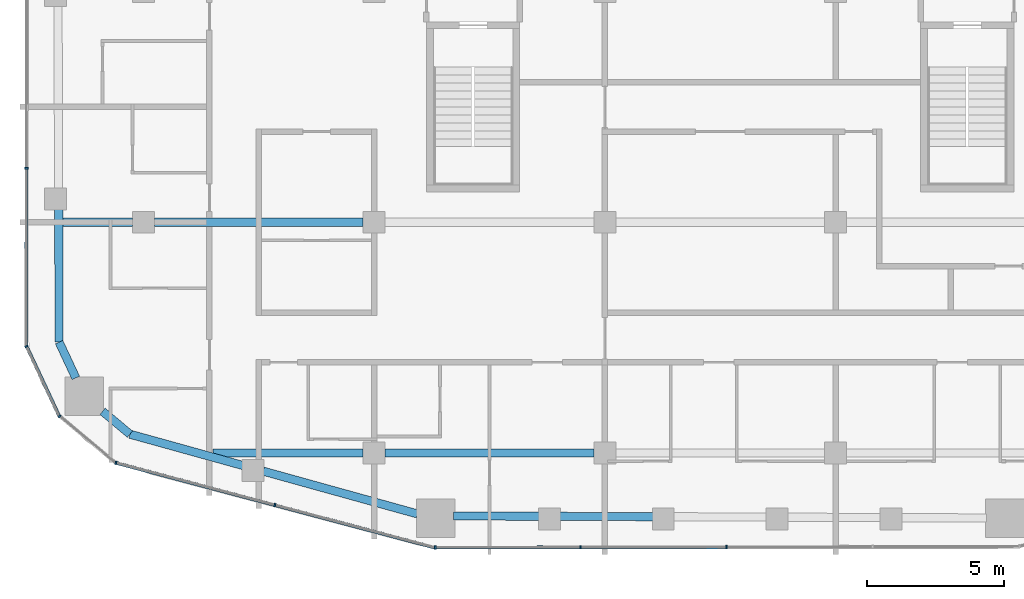
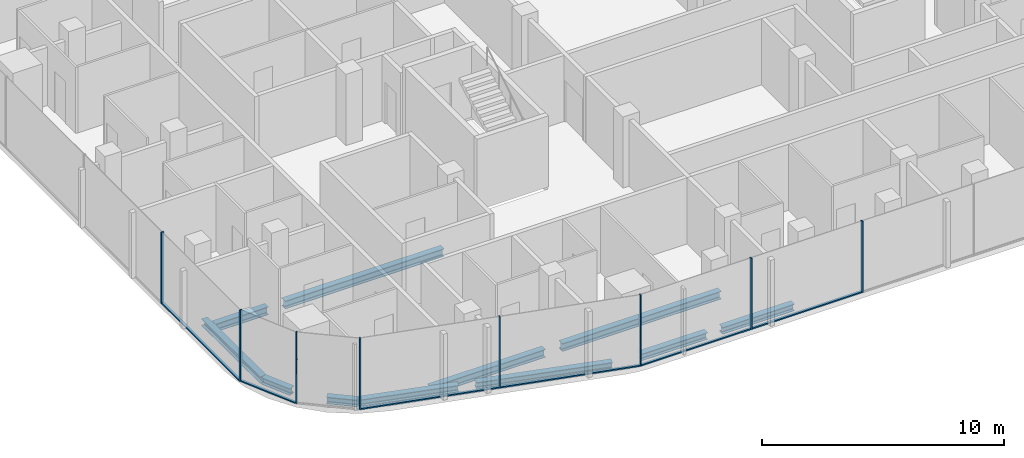
# One storey, part 2 of 21: 14 members, 11 beams, 5 elements without a shape of their own.
"""IFC4 building model written with IfcOpenShell, lengths in metres."""

from ifc_helpers import new_model, si_unit, direction, frame, origin, origin_2d, place, context, subcontext, project, spatial, rectangle, i_section, extrude, material, layer, layer_set, material_profile, profile_set, type_object, element, aggregate, save


model = new_model("IFC4")

# Units and contexts
model_context = context("Model", 3, precision=1e-05, world=origin(), true_north=direction((0.0, 1.0)))
body_context = subcontext(model_context, "Body", "Model", "MODEL_VIEW")
ifc_project = project(units=[si_unit("LENGTHUNIT", "METRE"), si_unit("AREAUNIT", "SQUARE_METRE"), si_unit("VOLUMEUNIT", "CUBIC_METRE"), si_unit("PLANEANGLEUNIT", "RADIAN"), si_unit("MASSUNIT", "GRAM", prefix="KILO")], contexts=[model_context])

# Site, building, storey
site_placement = place(None, origin())
site = spatial("IfcSite", under=ifc_project, at=site_placement, CompositionType="ELEMENT")
building_placement = place(site_placement, origin())
building = spatial("IfcBuilding", under=site, at=building_placement, Name="Marenta Gate Hotel Tower", CompositionType="ELEMENT")
storey_placement = place(building_placement, frame((0.0, 0.0, 202.10009765625)))
storey = spatial("IfcBuildingStorey", under=building, at=storey_placement, Name="L46", CompositionType="ELEMENT", Elevation=202.10009765625)

# Beams
ifc_material_1 = material(Name="Steel S355", Category="steel")
ifc_material_profile_1 = material_profile(ifc_material_1, i_section(OverallWidth=0.300048828125, OverallDepth=0.340087890625, WebThickness=0.011962890625, FlangeThickness=0.021484375, FilletRadius=0.027099609375, at=origin_2d()), Name="HEB 340")
ifc_profile_set_1 = profile_set([ifc_material_profile_1], Name="Steel S355")
beam_type_1 = type_object("IfcBeamType", Name="Edge beam HEB 340", PredefinedType="SPANDREL", material=ifc_profile_set_1)
beam_1_placement = place(storey_placement, frame((-11.02783203125, -27.42236328125, -0.43017578125), z_axis=(-0.963619240724, 0.267278803699, 0.0), x_axis=(-0.267278803699, -0.963619240724, 0.0)))
element("IfcBeam", 1, at=beam_1_placement, inside=storey, type_object=beam_type_1, Name="L46-EB-1", PredefinedType="SPANDREL", context=body_context, shape_type="SweptSolid", body=[
    extrude(i_section(OverallWidth=0.300048828125, OverallDepth=0.340087890625, WebThickness=0.011962890625, FlangeThickness=0.021484375, FilletRadius=0.027099609375, at=origin_2d()), origin(), (0.0, 0.0, 1.0), 5.82958984375),
])
beam_2_placement = place(storey_placement, frame((-17.3681640625, -25.663818359375, -0.43017578125), z_axis=(-0.963628037304, 0.267247087396, 0.0), x_axis=(-0.267247087396, -0.963628037304, 0.0)))
element("IfcBeam", 2, at=beam_2_placement, inside=storey, type_object=beam_type_1, Name="L46-EB-2", PredefinedType="SPANDREL", context=body_context, shape_type="SweptSolid", body=[
    extrude(i_section(OverallWidth=0.300048828125, OverallDepth=0.340087890625, WebThickness=0.011962890625, FlangeThickness=0.021484375, FilletRadius=0.027099609375, at=origin_2d()), origin(), (0.0, 0.0, 1.0), 4.284423828125),
])
beam_3_placement = place(storey_placement, frame((-21.496826171875, -24.518798828125, -0.43017578125), z_axis=(-0.767065103149, 0.641569269472, 0.0), x_axis=(-0.641569269472, -0.767065103149, 0.0)))
element("IfcBeam", 3, at=beam_3_placement, inside=storey, type_object=beam_type_1, Name="L46-EB-3", PredefinedType="SPANDREL", context=body_context, shape_type="SweptSolid", body=[
    extrude(i_section(OverallWidth=0.300048828125, OverallDepth=0.340087890625, WebThickness=0.011962890625, FlangeThickness=0.021484375, FilletRadius=0.027099609375, at=origin_2d()), origin(), (0.0, 0.0, 1.0), 1.299560546875),
])
beam_4_placement = place(storey_placement, frame((-23.466796875, -22.46923828125, -0.43017578125), z_axis=(-0.423341112024, 0.905970365338, 0.0), x_axis=(-0.905970365338, -0.423341112024, 0.0)))
element("IfcBeam", 4, at=beam_4_placement, inside=storey, type_object=beam_type_1, Name="L46-EB-4", PredefinedType="SPANDREL", context=body_context, shape_type="SweptSolid", body=[
    extrude(i_section(OverallWidth=0.300048828125, OverallDepth=0.340087890625, WebThickness=0.011962890625, FlangeThickness=0.021484375, FilletRadius=0.027099609375, at=origin_2d()), origin(), (0.0, 0.0, 1.0), 1.437255859375),
])
beam_5_placement = place(storey_placement, frame((-24.0751953125, -21.167236328125, -0.43017578125), z_axis=(-0.003318732666, 0.999994492992, 0.0), x_axis=(-0.999994492992, -0.003318732666, 0.0)))
element("IfcBeam", 5, at=beam_5_placement, inside=storey, type_object=beam_type_1, Name="L46-EB-5", PredefinedType="SPANDREL", context=body_context, shape_type="SweptSolid", body=[
    extrude(i_section(OverallWidth=0.300048828125, OverallDepth=0.340087890625, WebThickness=0.011962890625, FlangeThickness=0.021484375, FilletRadius=0.027099609375, at=origin_2d()), origin(), (0.0, 0.0, 1.0), 4.855224609375),
])
beam_6_placement = place(storey_placement, frame((-2.433349609375, -27.5234375, -0.43017578125), z_axis=(-0.999992599416, 0.003847221457, 0.0), x_axis=(-0.003847221457, -0.999992599416, 0.0)))
element("IfcBeam", 6, at=beam_6_placement, inside=storey, type_object=beam_type_1, Name="L46-EB-35", PredefinedType="SPANDREL", context=body_context, shape_type="SweptSolid", body=[
    extrude(i_section(OverallWidth=0.300048828125, OverallDepth=0.340087890625, WebThickness=0.011962890625, FlangeThickness=0.021484375, FilletRadius=0.027099609375, at=origin_2d()), origin(), (0.0, 0.0, 1.0), 3.4267578125),
])
beam_7_placement = place(storey_placement, frame((-6.580078125, -27.507568359375, -0.43017578125), z_axis=(-0.99999237665, 0.00390469495, 0.0), x_axis=(-0.00390469495, -0.99999237665, 0.0)))
element("IfcBeam", 7, at=beam_7_placement, inside=storey, type_object=beam_type_1, Name="L46-EB-36", PredefinedType="SPANDREL", context=body_context, shape_type="SweptSolid", body=[
    extrude(i_section(OverallWidth=0.300048828125, OverallDepth=0.340087890625, WebThickness=0.011962890625, FlangeThickness=0.021484375, FilletRadius=0.027099609375, at=origin_2d()), origin(), (0.0, 0.0, 1.0), 3.126220703125),
])
ifc_material_2 = material(Name="Steel S355", Category="steel")
ifc_material_profile_2 = material_profile(ifc_material_2, i_section(OverallWidth=0.300048828125, OverallDepth=0.39990234375, WebThickness=0.013427734375, FlangeThickness=0.02392578125, FilletRadius=0.027099609375, at=origin_2d()), Name="HEB 400")
ifc_profile_set_2 = profile_set([ifc_material_profile_2], Name="Steel S355")
beam_type_2 = type_object("IfcBeamType", Name="Girder HEB 400", PredefinedType="BEAM", material=ifc_profile_set_2)
beam_8_placement = place(storey_placement, frame((-18.479248046875, -25.199951171875, -0.460205078125), z_axis=(1.0, 0.0, 0.0), x_axis=(0.0, 1.0, 0.0)))
element("IfcBeam", 8, at=beam_8_placement, inside=storey, type_object=beam_type_2, Name="L46-GD-1", PredefinedType="BEAM", context=body_context, shape_type="SweptSolid", body=[
    extrude(i_section(OverallWidth=0.300048828125, OverallDepth=0.39990234375, WebThickness=0.013427734375, FlangeThickness=0.02392578125, FilletRadius=0.027099609375, at=origin_2d()), origin(), (0.0, 0.0, 1.0), 5.479248046875),
])
beam_9_placement = place(storey_placement, frame((-12.199951171875, -25.199951171875, -0.460205078125), z_axis=(1.0, 0.0, 0.0), x_axis=(0.0, 1.0, 0.0)))
element("IfcBeam", 9, at=beam_9_placement, inside=storey, type_object=beam_type_2, Name="L46-GD-2", PredefinedType="BEAM", context=body_context, shape_type="SweptSolid", body=[
    extrude(i_section(OverallWidth=0.300048828125, OverallDepth=0.39990234375, WebThickness=0.013427734375, FlangeThickness=0.02392578125, FilletRadius=0.027099609375, at=origin_2d()), origin(), (0.0, 0.0, 1.0), 7.599853515625),
])
beam_10_placement = place(storey_placement, frame((-23.939697265625, -16.800048828125, -0.460205078125), z_axis=(1.0, 0.0, 0.0), x_axis=(0.0, 1.0, 0.0)))
element("IfcBeam", 10, at=beam_10_placement, inside=storey, type_object=beam_type_2, Name="L46-GD-6", PredefinedType="BEAM", context=body_context, shape_type="SweptSolid", body=[
    extrude(i_section(OverallWidth=0.300048828125, OverallDepth=0.39990234375, WebThickness=0.013427734375, FlangeThickness=0.02392578125, FilletRadius=0.027099609375, at=origin_2d()), origin(), (0.0, 0.0, 1.0), 2.539794921875),
])
beam_11_placement = place(storey_placement, frame((-20.60009765625, -16.800048828125, -0.460205078125), z_axis=(1.0, 0.0, 0.0), x_axis=(0.0, 1.0, 0.0)))
element("IfcBeam", 11, at=beam_11_placement, inside=storey, type_object=beam_type_2, Name="L46-GD-7", PredefinedType="BEAM", context=body_context, shape_type="SweptSolid", body=[
    extrude(i_section(OverallWidth=0.300048828125, OverallDepth=0.39990234375, WebThickness=0.013427734375, FlangeThickness=0.02392578125, FilletRadius=0.027099609375, at=origin_2d()), origin(), (0.0, 0.0, 1.0), 7.60009765625),
])

# Curtain wall, member
ifc_material_3 = material(Name="Tinted insulated glass in bronze anodised frame", Category="glass")
ifc_layer = layer(ifc_material_3, 0.1201171875)
ifc_layer_set = layer_set([ifc_layer], Name="Tinted insulated glass in bronze anodised frame")
curtain_wall_type = type_object("IfcCurtainWallType", Name="Tower unitised curtain wall CW1", PredefinedType="NOTDEFINED", material=ifc_layer_set)
curtain_wall_1_placement = place(storey_placement, origin())
curtain_wall_1 = element("IfcCurtainWall", 12, at=curtain_wall_1_placement, inside=storey, type_object=curtain_wall_type, Name="CW1 run G03", PredefinedType="NOTDEFINED")
ifc_material_4 = material(Name="Bronze anodised aluminium", Category="aluminium")
ifc_material_profile_3 = material_profile(ifc_material_4, rectangle(XDim=0.1201171875, YDim=0.06005859375, at=origin_2d()), Name="Mullion CW1 60x120 bronze anodised aluminium")
ifc_profile_set_3 = profile_set([ifc_material_profile_3], Name="Bronze anodised aluminium")
member_type_1 = type_object("IfcMemberType", Name="Mullion CW1 60x120 bronze anodised aluminium", PredefinedType="MULLION", material=ifc_profile_set_3)
member_1_placement = place(storey_placement, frame((-25.262939453125, -14.833740234375, 0.0), z_axis=(0.0, 0.0, 1.0), x_axis=(0.99999877375, -0.001566045546, 0.0)))
member_1 = element("IfcMember", 13, at=member_1_placement, type_object=member_type_1, Name="CW1 mullion 6", PredefinedType="MULLION", context=body_context, shape_type="SweptSolid", body=[
    extrude(rectangle(XDim=0.1201171875, YDim=0.06005859375, at=origin_2d()), origin(), (0.0, 0.0, 1.0), 3.599853515625),
])

curtain_wall_2_placement = place(storey_placement, origin())
curtain_wall_2 = element("IfcCurtainWall", 14, at=curtain_wall_2_placement, inside=storey, type_object=curtain_wall_type, Name="CW1 run G04", PredefinedType="NOTDEFINED")
member_2_placement = place(storey_placement, frame((-25.26025390625, -21.321044921875, 0.0), z_axis=(0.0, 0.0, 1.0), x_axis=(0.905972194447, 0.42333719762, 0.0)))
member_2 = element("IfcMember", 15, at=member_2_placement, type_object=member_type_1, Name="CW1 mullion 1", PredefinedType="MULLION", context=body_context, shape_type="SweptSolid", body=[
    extrude(rectangle(XDim=0.1201171875, YDim=0.06005859375, at=origin_2d()), origin(), (0.0, 0.0, 1.0), 3.599853515625),
])

curtain_wall_3_placement = place(storey_placement, origin())
curtain_wall_3 = element("IfcCurtainWall", 16, at=curtain_wall_3_placement, inside=storey, type_object=curtain_wall_type, Name="CW1 run G05", PredefinedType="NOTDEFINED")
member_3_placement = place(storey_placement, frame((-24.059814453125, -23.85986328125, 0.0), z_axis=(0.0, 0.0, 1.0), x_axis=(0.641524739495, 0.767102345594, 0.0)))
member_3 = element("IfcMember", 17, at=member_3_placement, type_object=member_type_1, Name="CW1 mullion 1", PredefinedType="MULLION", context=body_context, shape_type="SweptSolid", body=[
    extrude(rectangle(XDim=0.1201171875, YDim=0.06005859375, at=origin_2d()), origin(), (0.0, 0.0, 1.0), 3.599853515625),
])
aggregate(curtain_wall_3, [member_3])

# Curtain wall, members
curtain_wall_4_placement = place(storey_placement, origin())
curtain_wall_4 = element("IfcCurtainWall", 18, at=curtain_wall_4_placement, inside=storey, type_object=curtain_wall_type, Name="CW1 run G06", PredefinedType="NOTDEFINED")
member_4_placement = place(storey_placement, frame((-22.00634765625, -25.560791015625, 0.0), z_axis=(0.0, 0.0, 1.0), x_axis=(0.257139197271, 0.966374375295, 0.0)))
member_4 = element("IfcMember", 19, at=member_4_placement, type_object=member_type_1, Name="CW1 mullion 1", PredefinedType="MULLION", context=body_context, shape_type="SweptSolid", body=[
    extrude(rectangle(XDim=0.1201171875, YDim=0.06005859375, at=origin_2d()), origin(), (0.0, 0.0, 1.0), 3.599853515625),
])
member_5_placement = place(storey_placement, frame((-16.220703125, -27.100341796875, 0.0), z_axis=(0.0, 0.0, 1.0), x_axis=(0.257139197271, 0.966374375295, 0.0)))
member_5 = element("IfcMember", 20, at=member_5_placement, type_object=member_type_1, Name="CW1 mullion 2", PredefinedType="MULLION", context=body_context, shape_type="SweptSolid", body=[
    extrude(rectangle(XDim=0.1201171875, YDim=0.06005859375, at=origin_2d()), origin(), (0.0, 0.0, 1.0), 3.599853515625),
])

curtain_wall_5_placement = place(storey_placement, origin())
curtain_wall_5 = element("IfcCurtainWall", 21, at=curtain_wall_5_placement, inside=storey, type_object=curtain_wall_type, Name="CW1 run G07", PredefinedType="NOTDEFINED")
member_6_placement = place(storey_placement, frame((-10.3759765625, -28.6474609375, 0.0), z_axis=(0.0, 0.0, 1.0), x_axis=(-0.001644757804, 0.999998647385, 0.0)))
member_6 = element("IfcMember", 22, at=member_6_placement, type_object=member_type_1, Name="CW1 mullion 1", PredefinedType="MULLION", context=body_context, shape_type="SweptSolid", body=[
    extrude(rectangle(XDim=0.1201171875, YDim=0.06005859375, at=origin_2d()), origin(), (0.0, 0.0, 1.0), 3.599853515625),
])
member_7_placement = place(storey_placement, frame((-5.086181640625, -28.638671875, 0.0), z_axis=(0.0, 0.0, 1.0), x_axis=(-0.001644757804, 0.999998647385, 0.0)))
member_7 = element("IfcMember", 23, at=member_7_placement, type_object=member_type_1, Name="CW1 mullion 2", PredefinedType="MULLION", context=body_context, shape_type="SweptSolid", body=[
    extrude(rectangle(XDim=0.1201171875, YDim=0.06005859375, at=origin_2d()), origin(), (0.0, 0.0, 1.0), 3.599853515625),
])
member_8_placement = place(storey_placement, frame((0.23388671875, -28.6298828125, 0.0), z_axis=(0.0, 0.0, 1.0), x_axis=(-0.001644757804, 0.999998647385, 0.0)))
member_8 = element("IfcMember", 24, at=member_8_placement, type_object=member_type_1, Name="CW1 mullion 3", PredefinedType="MULLION", context=body_context, shape_type="SweptSolid", body=[
    extrude(rectangle(XDim=0.1201171875, YDim=0.06005859375, at=origin_2d()), origin(), (0.0, 0.0, 1.0), 3.599853515625),
])

# Member
ifc_material_5 = material(Name="Bronze anodised aluminium", Category="aluminium")
ifc_material_profile_4 = material_profile(ifc_material_5, rectangle(XDim=0.1201171875, YDim=0.06005859375, at=origin_2d()), Name="Transom CW1 60x120 bronze anodised aluminium")
ifc_profile_set_4 = profile_set([ifc_material_profile_4], Name="Bronze anodised aluminium")
member_type_2 = type_object("IfcMemberType", Name="Transom CW1 60x120 bronze anodised aluminium", PredefinedType="USERDEFINED", material=ifc_profile_set_4)
member_9_placement = place(storey_placement, frame((-25.262939453125, -14.86376953125, 0.02978515625), z_axis=(-0.001556743377, -0.999998788274, 0.0), x_axis=(0.999998788274, -0.001556743377, 0.0)))
member_9 = element("IfcMember", 25, at=member_9_placement, type_object=member_type_2, Name="CW1 transom 6.1", ObjectType="TRANSOM", PredefinedType="USERDEFINED", context=body_context, shape_type="SweptSolid", body=[
    extrude(rectangle(XDim=0.1201171875, YDim=0.06005859375, at=origin_2d()), origin(), (0.0, 0.0, 1.0), 6.429931640625),
])

aggregate(curtain_wall_1, [member_1, member_9])

member_10_placement = place(storey_placement, frame((-25.24755859375, -21.34814453125, 0.02978515625), z_axis=(0.423274054321, -0.906001696984, 0.0), x_axis=(0.906001696984, 0.423274054321, 0.0)))
member_10 = element("IfcMember", 26, at=member_10_placement, type_object=member_type_2, Name="CW1 transom 1.1", ObjectType="TRANSOM", PredefinedType="USERDEFINED", context=body_context, shape_type="SweptSolid", body=[
    extrude(rectangle(XDim=0.1201171875, YDim=0.06005859375, at=origin_2d()), origin(), (0.0, 0.0, 1.0), 2.751220703125),
])

aggregate(curtain_wall_2, [member_2, member_10])

member_11_placement = place(storey_placement, frame((-21.977294921875, -25.568603515625, 0.02978515625), z_axis=(0.966378365457, -0.257124201073, 0.0), x_axis=(0.257124201073, 0.966378365457, 0.0)))
member_11 = element("IfcMember", 27, at=member_11_placement, type_object=member_type_2, Name="CW1 transom 1.1", ObjectType="TRANSOM", PredefinedType="USERDEFINED", context=body_context, shape_type="SweptSolid", body=[
    extrude(rectangle(XDim=0.1201171875, YDim=0.06005859375, at=origin_2d()), origin(), (0.0, 0.0, 1.0), 5.9267578125),
])

member_12_placement = place(storey_placement, frame((-16.191650390625, -27.10791015625, 0.02978515625), z_axis=(0.966371521912, -0.257149920549, 0.0), x_axis=(0.257149920549, 0.966371521912, 0.0)))
member_12 = element("IfcMember", 28, at=member_12_placement, type_object=member_type_2, Name="CW1 transom 2.1", ObjectType="TRANSOM", PredefinedType="USERDEFINED", context=body_context, shape_type="SweptSolid", body=[
    extrude(rectangle(XDim=0.1201171875, YDim=0.06005859375, at=origin_2d()), origin(), (0.0, 0.0, 1.0), 5.987060546875),
])

aggregate(curtain_wall_4, [member_4, member_5, member_11, member_12])

member_13_placement = place(storey_placement, frame((-10.345947265625, -28.6474609375, 0.02978515625), z_axis=(0.999998665295, 0.001633832195, 0.0), x_axis=(-0.001633832195, 0.999998665295, 0.0)))
member_13 = element("IfcMember", 29, at=member_13_placement, type_object=member_type_2, Name="CW1 transom 1.1", ObjectType="TRANSOM", PredefinedType="USERDEFINED", context=body_context, shape_type="SweptSolid", body=[
    extrude(rectangle(XDim=0.1201171875, YDim=0.06005859375, at=origin_2d()), origin(), (0.0, 0.0, 1.0), 5.22998046875),
])

member_14_placement = place(storey_placement, frame((-5.05615234375, -28.638671875, 0.02978515625), z_axis=(0.999998680491, 0.001624504703, 0.0), x_axis=(-0.001624504703, 0.999998680491, 0.0)))
member_14 = element("IfcMember", 30, at=member_14_placement, type_object=member_type_2, Name="CW1 transom 2.1", ObjectType="TRANSOM", PredefinedType="USERDEFINED", context=body_context, shape_type="SweptSolid", body=[
    extrude(rectangle(XDim=0.1201171875, YDim=0.06005859375, at=origin_2d()), origin(), (0.0, 0.0, 1.0), 5.260009765625),
])

aggregate(curtain_wall_5, [member_6, member_7, member_8, member_13, member_14])

save(model, "model.ifc")
